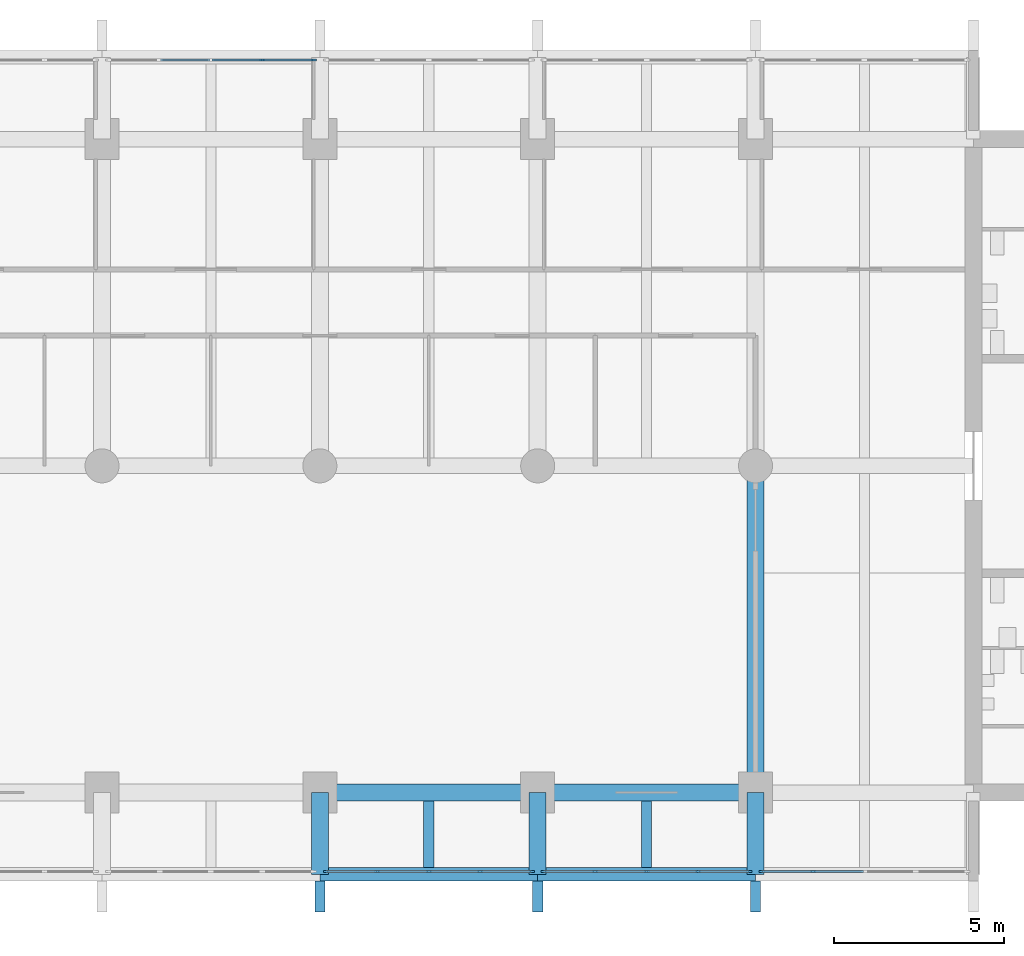
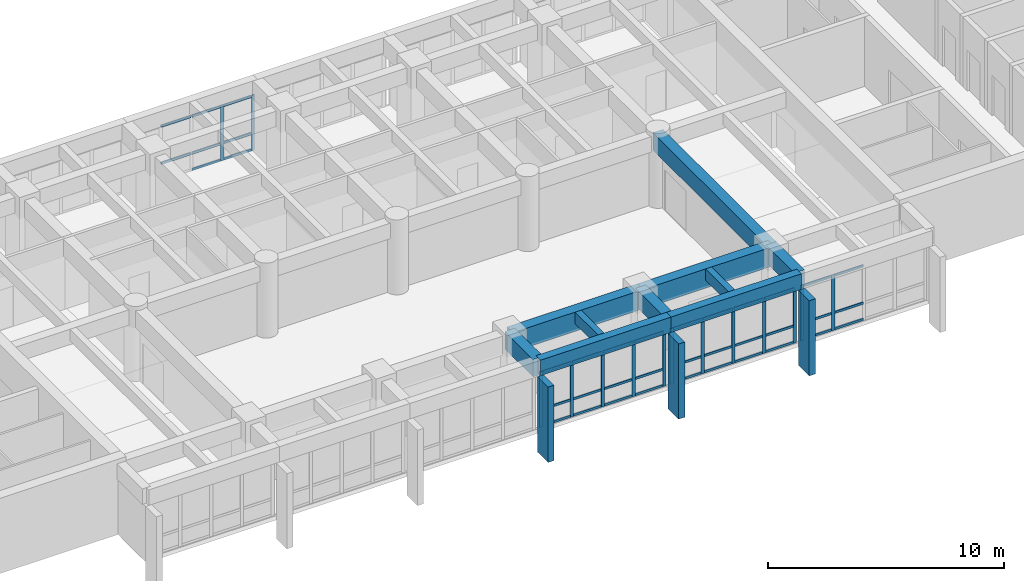
# One storey, part 4 of 15: 55 members, 10 beams, 4 elements without a shape of their own.
"""IFC4 building model written with IfcOpenShell, lengths in metres."""

from ifc_helpers import new_model, si_unit, direction, frame, origin, origin_2d, place, context, subcontext, project, spatial, rectangle, extrude, material, layer, layer_set, material_profile, profile_set, type_object, element, aggregate, save


model = new_model("IFC4")

# Units and contexts
model_context = context("Model", 3, precision=1e-05, world=origin(), true_north=direction((0.0, 1.0)))
body_context = subcontext(model_context, "Body", "Model", "MODEL_VIEW")
ifc_project = project(units=[si_unit("LENGTHUNIT", "METRE"), si_unit("AREAUNIT", "SQUARE_METRE"), si_unit("VOLUMEUNIT", "CUBIC_METRE"), si_unit("PLANEANGLEUNIT", "RADIAN"), si_unit("MASSUNIT", "GRAM", prefix="KILO")], contexts=[model_context])

# Site, building, storey
site_placement = place(None, origin())
site = spatial("IfcSite", under=ifc_project, at=site_placement, CompositionType="ELEMENT")
building_placement = place(site_placement, origin())
building = spatial("IfcBuilding", under=site, at=building_placement, Name="Fogon Plaza Fire Station and Headquarters Tower", CompositionType="ELEMENT")
storey_placement = place(building_placement, frame((0.0, 0.0, 32.699951171875)))
storey = spatial("IfcBuildingStorey", under=building, at=storey_placement, Name="L08", CompositionType="ELEMENT", Elevation=32.699951171875)

# Beams
ifc_material_1 = material(Name="Concrete C40", Category="concrete")
ifc_material_profile_1 = material_profile(ifc_material_1, rectangle(XDim=0.5, YDim=1.0, at=origin_2d()), Name="RC 500x1000")
ifc_profile_set_1 = profile_set([ifc_material_profile_1], Name="Concrete C40")
beam_type_1 = type_object("IfcBeamType", Name="ATRIUM EDGE GIRDER RC 500x1000", PredefinedType="BEAM", material=ifc_profile_set_1)
beam_1_placement = place(storey_placement, frame((44.800048828125, 33.60009765625, 3.179931640625), z_axis=(1.0, 0.0, 0.0), x_axis=(0.0, 1.0, 0.0)))
element("IfcBeam", 1, at=beam_1_placement, inside=storey, type_object=beam_type_1, Name="beam-L08-024", PredefinedType="BEAM", context=body_context, shape_type="SweptSolid", body=[
    extrude(rectangle(XDim=0.5, YDim=1.0, at=origin_2d()), origin(), (0.0, 0.0, 1.0), 6.39990234375),
])
beam_2_placement = place(storey_placement, frame((51.199951171875, 33.60009765625, 3.179931640625), z_axis=(1.0, 0.0, 0.0), x_axis=(0.0, 1.0, 0.0)))
element("IfcBeam", 2, at=beam_2_placement, inside=storey, type_object=beam_type_1, Name="beam-L08-025", PredefinedType="BEAM", context=body_context, shape_type="SweptSolid", body=[
    extrude(rectangle(XDim=0.5, YDim=1.0, at=origin_2d()), origin(), (0.0, 0.0, 1.0), 6.400146484375),
])
ifc_material_2 = material(Name="Concrete C40", Category="concrete")
ifc_material_profile_2 = material_profile(ifc_material_2, rectangle(XDim=0.39990234375, YDim=0.800048828125, at=origin_2d()), Name="RC 400x800")
ifc_profile_set_2 = profile_set([ifc_material_profile_2], Name="Concrete C40")
beam_type_2 = type_object("IfcBeamType", Name="BEAM RC 400x800", PredefinedType="BEAM", material=ifc_profile_set_2)
beam_3_placement = place(storey_placement, frame((44.800048828125, 31.199951171875, 3.280029296875), z_axis=(1.0, 0.0, 0.0), x_axis=(0.0, 1.0, 0.0)))
element("IfcBeam", 3, at=beam_3_placement, inside=storey, type_object=beam_type_2, Name="beam-L08-042", PredefinedType="BEAM", context=body_context, shape_type="SweptSolid", body=[
    extrude(rectangle(XDim=0.39990234375, YDim=0.800048828125, at=origin_2d()), origin(), (0.0, 0.0, 1.0), 6.39990234375),
])
beam_4_placement = place(storey_placement, frame((51.199951171875, 31.199951171875, 3.280029296875), z_axis=(1.0, 0.0, 0.0), x_axis=(0.0, 1.0, 0.0)))
element("IfcBeam", 4, at=beam_4_placement, inside=storey, type_object=beam_type_2, Name="beam-L08-043", PredefinedType="BEAM", context=body_context, shape_type="SweptSolid", body=[
    extrude(rectangle(XDim=0.39990234375, YDim=0.800048828125, at=origin_2d()), origin(), (0.0, 0.0, 1.0), 6.400146484375),
])
ifc_material_3 = material(Name="Concrete C40", Category="concrete")
ifc_material_profile_3 = material_profile(ifc_material_3, rectangle(XDim=0.5, YDim=0.89990234375, at=origin_2d()), Name="RC 500x900")
ifc_profile_set_3 = profile_set([ifc_material_profile_3], Name="Concrete C40")
beam_type_3 = type_object("IfcBeamType", Name="BEAM RC 500x900 SPAN 0.0 TO 3.0 M", PredefinedType="BEAM", material=ifc_profile_set_3)
for number, where, z_axis, x_axis, name in (
    (5, (44.800048828125, 31.199951171875, 3.22998046875), (0.0, 1.0, 0.0), (-1.0, 0.0, 0.0), "beam-L08-009"),
    (6, (51.199951171875, 31.199951171875, 3.22998046875), (0.0, 1.0, 0.0), (-1.0, 0.0, 0.0), "beam-L08-013"),
    (7, (57.60009765625, 31.199951171875, 3.22998046875), (0.0, 1.0, 0.0), (-1.0, 0.0, 0.0), "beam-L08-017"),
):
    element("IfcBeam", number, at=place(storey_placement, frame(where, z_axis=z_axis, x_axis=x_axis)), inside=storey, type_object=beam_type_3, Name=name, PredefinedType="BEAM", context=body_context, shape_type="SweptSolid", body=[
        extrude(rectangle(XDim=0.5, YDim=0.89990234375, at=origin_2d()), origin(), (0.0, 0.0, 1.0), 2.400146484375),
    ])
ifc_material_4 = material(Name="Concrete C40", Category="concrete")
ifc_material_profile_4 = material_profile(ifc_material_4, rectangle(XDim=0.5, YDim=0.89990234375, at=origin_2d()), Name="RC 500x900")
ifc_profile_set_4 = profile_set([ifc_material_profile_4], Name="Concrete C40")
beam_type_4 = type_object("IfcBeamType", Name="BEAM RC 500x900 SPAN 7.7 TO 12.3 M", PredefinedType="BEAM", material=ifc_profile_set_4)
beam_5_placement = place(storey_placement, frame((57.60009765625, 33.60009765625, 3.22998046875), z_axis=(0.0, 1.0, 0.0), x_axis=(-1.0, 0.0, 0.0)))
element("IfcBeam", 8, at=beam_5_placement, inside=storey, type_object=beam_type_4, Name="beam-L08-018", PredefinedType="BEAM", context=body_context, shape_type="SweptSolid", body=[
    extrude(rectangle(XDim=0.5, YDim=0.89990234375, at=origin_2d()), origin(), (0.0, 0.0, 1.0), 9.599853515625),
])

# Curtain wall, members
ifc_material_5 = material(Name="Aluminium and glass", Category="aluminium")
ifc_layer = layer(ifc_material_5, 0.14990234375)
ifc_layer_set = layer_set([ifc_layer], Name="Aluminium and glass")
curtain_wall_type = type_object("IfcCurtainWallType", Name="Unitised Curtain Wall Run 6100x2880", PredefinedType="NOTDEFINED", material=ifc_layer_set)
curtain_wall_1_placement = place(storey_placement, origin())
curtain_wall_1 = element("IfcCurtainWall", 9, at=curtain_wall_1_placement, inside=storey, type_object=curtain_wall_type, Name="CW-6100x2880 S4 L08", PredefinedType="NOTDEFINED")
ifc_material_6 = material(Name="Aluminium", Category="aluminium")
ifc_material_profile_5 = material_profile(ifc_material_6, rectangle(XDim=0.06005859375, YDim=0.159912109375, at=origin_2d()), Name="Curtain Wall Mullion 60x160")
ifc_profile_set_5 = profile_set([ifc_material_profile_5], Name="Aluminium")
member_type_1 = type_object("IfcMemberType", Name="Curtain Wall Mullion 60x160", PredefinedType="MULLION", material=ifc_profile_set_5)
member_1_placement = place(storey_placement, frame((44.97998046875, 31.280029296875, 0.0), z_axis=(0.0, 0.0, 1.0), x_axis=(0.0, 1.0, 0.0)))
member_1 = element("IfcMember", 10, at=member_1_placement, type_object=member_type_1, Name="CW-6100x2880 mullion 1", PredefinedType="MULLION", context=body_context, shape_type="SweptSolid", body=[
    extrude(rectangle(XDim=0.06005859375, YDim=0.159912109375, at=origin_2d()), origin(), (0.0, 0.0, 1.0), 2.880126953125),
])
member_2_placement = place(storey_placement, frame((46.489990234375, 31.280029296875, 0.0), z_axis=(0.0, 0.0, 1.0), x_axis=(0.0, 1.0, 0.0)))
member_2 = element("IfcMember", 11, at=member_2_placement, type_object=member_type_1, Name="CW-6100x2880 mullion 2", PredefinedType="MULLION", context=body_context, shape_type="SweptSolid", body=[
    extrude(rectangle(XDim=0.06005859375, YDim=0.159912109375, at=origin_2d()), origin(), (0.0, 0.0, 1.0), 2.880126953125),
])
member_3_placement = place(storey_placement, frame((48.0, 31.280029296875, 0.0), z_axis=(0.0, 0.0, 1.0), x_axis=(0.0, 1.0, 0.0)))
member_3 = element("IfcMember", 12, at=member_3_placement, type_object=member_type_1, Name="CW-6100x2880 mullion 3", PredefinedType="MULLION", context=body_context, shape_type="SweptSolid", body=[
    extrude(rectangle(XDim=0.06005859375, YDim=0.159912109375, at=origin_2d()), origin(), (0.0, 0.0, 1.0), 2.880126953125),
])
member_4_placement = place(storey_placement, frame((49.510009765625, 31.280029296875, 0.0), z_axis=(0.0, 0.0, 1.0), x_axis=(0.0, 1.0, 0.0)))
member_4 = element("IfcMember", 13, at=member_4_placement, type_object=member_type_1, Name="CW-6100x2880 mullion 4", PredefinedType="MULLION", context=body_context, shape_type="SweptSolid", body=[
    extrude(rectangle(XDim=0.06005859375, YDim=0.159912109375, at=origin_2d()), origin(), (0.0, 0.0, 1.0), 2.880126953125),
])
member_5_placement = place(storey_placement, frame((51.02001953125, 31.280029296875, 0.0), z_axis=(0.0, 0.0, 1.0), x_axis=(0.0, 1.0, 0.0)))
member_5 = element("IfcMember", 14, at=member_5_placement, type_object=member_type_1, Name="CW-6100x2880 mullion 5", PredefinedType="MULLION", context=body_context, shape_type="SweptSolid", body=[
    extrude(rectangle(XDim=0.06005859375, YDim=0.159912109375, at=origin_2d()), origin(), (0.0, 0.0, 1.0), 2.880126953125),
])

curtain_wall_2_placement = place(storey_placement, origin())
curtain_wall_2 = element("IfcCurtainWall", 15, at=curtain_wall_2_placement, inside=storey, type_object=curtain_wall_type, Name="CW-6100x2880 S5 L08", PredefinedType="NOTDEFINED")
member_6_placement = place(storey_placement, frame((51.3798828125, 31.280029296875, 0.0), z_axis=(0.0, 0.0, 1.0), x_axis=(0.0, 1.0, 0.0)))
member_6 = element("IfcMember", 16, at=member_6_placement, type_object=member_type_1, Name="CW-6100x2880 mullion 1", PredefinedType="MULLION", context=body_context, shape_type="SweptSolid", body=[
    extrude(rectangle(XDim=0.06005859375, YDim=0.159912109375, at=origin_2d()), origin(), (0.0, 0.0, 1.0), 2.880126953125),
])
member_7_placement = place(storey_placement, frame((52.889892578125, 31.280029296875, 0.0), z_axis=(0.0, 0.0, 1.0), x_axis=(0.0, 1.0, 0.0)))
member_7 = element("IfcMember", 17, at=member_7_placement, type_object=member_type_1, Name="CW-6100x2880 mullion 2", PredefinedType="MULLION", context=body_context, shape_type="SweptSolid", body=[
    extrude(rectangle(XDim=0.06005859375, YDim=0.159912109375, at=origin_2d()), origin(), (0.0, 0.0, 1.0), 2.880126953125),
])
member_8_placement = place(storey_placement, frame((54.39990234375, 31.280029296875, 0.0), z_axis=(0.0, 0.0, 1.0), x_axis=(0.0, 1.0, 0.0)))
member_8 = element("IfcMember", 18, at=member_8_placement, type_object=member_type_1, Name="CW-6100x2880 mullion 3", PredefinedType="MULLION", context=body_context, shape_type="SweptSolid", body=[
    extrude(rectangle(XDim=0.06005859375, YDim=0.159912109375, at=origin_2d()), origin(), (0.0, 0.0, 1.0), 2.880126953125),
])
member_9_placement = place(storey_placement, frame((55.909912109375, 31.280029296875, 0.0), z_axis=(0.0, 0.0, 1.0), x_axis=(0.0, 1.0, 0.0)))
member_9 = element("IfcMember", 19, at=member_9_placement, type_object=member_type_1, Name="CW-6100x2880 mullion 4", PredefinedType="MULLION", context=body_context, shape_type="SweptSolid", body=[
    extrude(rectangle(XDim=0.06005859375, YDim=0.159912109375, at=origin_2d()), origin(), (0.0, 0.0, 1.0), 2.880126953125),
])
member_10_placement = place(storey_placement, frame((57.419921875, 31.280029296875, 0.0), z_axis=(0.0, 0.0, 1.0), x_axis=(0.0, 1.0, 0.0)))
member_10 = element("IfcMember", 20, at=member_10_placement, type_object=member_type_1, Name="CW-6100x2880 mullion 5", PredefinedType="MULLION", context=body_context, shape_type="SweptSolid", body=[
    extrude(rectangle(XDim=0.06005859375, YDim=0.159912109375, at=origin_2d()), origin(), (0.0, 0.0, 1.0), 2.880126953125),
])

curtain_wall_3_placement = place(storey_placement, origin())
curtain_wall_3 = element("IfcCurtainWall", 21, at=curtain_wall_3_placement, inside=storey, type_object=curtain_wall_type, Name="CW-6100x2880 S6 L08", PredefinedType="NOTDEFINED")
member_11_placement = place(storey_placement, frame((57.780029296875, 31.280029296875, 0.0), z_axis=(0.0, 0.0, 1.0), x_axis=(0.0, 1.0, 0.0)))
member_11 = element("IfcMember", 22, at=member_11_placement, type_object=member_type_1, Name="CW-6100x2880 mullion 1", PredefinedType="MULLION", context=body_context, shape_type="SweptSolid", body=[
    extrude(rectangle(XDim=0.06005859375, YDim=0.159912109375, at=origin_2d()), origin(), (0.0, 0.0, 1.0), 2.880126953125),
])
member_12_placement = place(storey_placement, frame((59.2900390625, 31.280029296875, 0.0), z_axis=(0.0, 0.0, 1.0), x_axis=(0.0, 1.0, 0.0)))
member_12 = element("IfcMember", 23, at=member_12_placement, type_object=member_type_1, Name="CW-6100x2880 mullion 2", PredefinedType="MULLION", context=body_context, shape_type="SweptSolid", body=[
    extrude(rectangle(XDim=0.06005859375, YDim=0.159912109375, at=origin_2d()), origin(), (0.0, 0.0, 1.0), 2.880126953125),
])

curtain_wall_4_placement = place(storey_placement, origin())
curtain_wall_4 = element("IfcCurtainWall", 24, at=curtain_wall_4_placement, inside=storey, type_object=curtain_wall_type, Name="CW-6100x2880 N3 L08", PredefinedType="NOTDEFINED")
member_13_placement = place(storey_placement, frame((43.110107421875, 55.1201171875, 0.0), z_axis=(0.0, 0.0, 1.0), x_axis=(0.0, 1.0, 0.0)))
member_13 = element("IfcMember", 25, at=member_13_placement, type_object=member_type_1, Name="CW-6100x2880 mullion 4", PredefinedType="MULLION", context=body_context, shape_type="SweptSolid", body=[
    extrude(rectangle(XDim=0.06005859375, YDim=0.159912109375, at=origin_2d()), origin(), (0.0, 0.0, 1.0), 2.880126953125),
])
member_14_placement = place(storey_placement, frame((44.6201171875, 55.1201171875, 0.0), z_axis=(0.0, 0.0, 1.0), x_axis=(0.0, 1.0, 0.0)))
member_14 = element("IfcMember", 26, at=member_14_placement, type_object=member_type_1, Name="CW-6100x2880 mullion 5", PredefinedType="MULLION", context=body_context, shape_type="SweptSolid", body=[
    extrude(rectangle(XDim=0.06005859375, YDim=0.159912109375, at=origin_2d()), origin(), (0.0, 0.0, 1.0), 2.880126953125),
])

# Member
ifc_material_7 = material(Name="Aluminium", Category="aluminium")
ifc_material_profile_6 = material_profile(ifc_material_7, rectangle(XDim=0.06005859375, YDim=0.1201171875, at=origin_2d()), Name="Curtain Wall Transom 60x120")
ifc_profile_set_6 = profile_set([ifc_material_profile_6], Name="Aluminium")
member_type_2 = type_object("IfcMemberType", Name="Curtain Wall Transom 60x120", PredefinedType="USERDEFINED", material=ifc_profile_set_6)
member_15_placement = place(storey_placement, frame((45.010009765625, 31.280029296875, 0.06005859375), z_axis=(1.0, 0.0, 0.0), x_axis=(0.0, 1.0, 0.0)))
member_15 = element("IfcMember", 27, at=member_15_placement, type_object=member_type_2, Name="CW-6100x2880 transom 1.1", ObjectType="TRANSOM", PredefinedType="USERDEFINED", context=body_context, shape_type="SweptSolid", body=[
    extrude(rectangle(XDim=0.06005859375, YDim=0.1201171875, at=origin_2d()), origin(), (0.0, 0.0, 1.0), 1.449951171875),
])

member_16_placement = place(storey_placement, frame((45.010009765625, 31.280029296875, 0.900146484375), z_axis=(1.0, 0.0, 0.0), x_axis=(0.0, 1.0, 0.0)))
member_16 = element("IfcMember", 28, at=member_16_placement, type_object=member_type_2, Name="CW-6100x2880 transom 1.2", ObjectType="TRANSOM", PredefinedType="USERDEFINED", context=body_context, shape_type="SweptSolid", body=[
    extrude(rectangle(XDim=0.06005859375, YDim=0.1201171875, at=origin_2d()), origin(), (0.0, 0.0, 1.0), 1.449951171875),
])

member_17_placement = place(storey_placement, frame((45.010009765625, 31.280029296875, 2.820068359375), z_axis=(1.0, 0.0, 0.0), x_axis=(0.0, 1.0, 0.0)))
member_17 = element("IfcMember", 29, at=member_17_placement, type_object=member_type_2, Name="CW-6100x2880 transom 1.3", ObjectType="TRANSOM", PredefinedType="USERDEFINED", context=body_context, shape_type="SweptSolid", body=[
    extrude(rectangle(XDim=0.06005859375, YDim=0.1201171875, at=origin_2d()), origin(), (0.0, 0.0, 1.0), 1.449951171875),
])

member_18_placement = place(storey_placement, frame((46.52001953125, 31.280029296875, 0.06005859375), z_axis=(1.0, 0.0, 0.0), x_axis=(0.0, 1.0, 0.0)))
member_18 = element("IfcMember", 30, at=member_18_placement, type_object=member_type_2, Name="CW-6100x2880 transom 2.1", ObjectType="TRANSOM", PredefinedType="USERDEFINED", context=body_context, shape_type="SweptSolid", body=[
    extrude(rectangle(XDim=0.06005859375, YDim=0.1201171875, at=origin_2d()), origin(), (0.0, 0.0, 1.0), 1.449951171875),
])

member_19_placement = place(storey_placement, frame((46.52001953125, 31.280029296875, 0.900146484375), z_axis=(1.0, 0.0, 0.0), x_axis=(0.0, 1.0, 0.0)))
member_19 = element("IfcMember", 31, at=member_19_placement, type_object=member_type_2, Name="CW-6100x2880 transom 2.2", ObjectType="TRANSOM", PredefinedType="USERDEFINED", context=body_context, shape_type="SweptSolid", body=[
    extrude(rectangle(XDim=0.06005859375, YDim=0.1201171875, at=origin_2d()), origin(), (0.0, 0.0, 1.0), 1.449951171875),
])

member_20_placement = place(storey_placement, frame((46.52001953125, 31.280029296875, 2.820068359375), z_axis=(1.0, 0.0, 0.0), x_axis=(0.0, 1.0, 0.0)))
member_20 = element("IfcMember", 32, at=member_20_placement, type_object=member_type_2, Name="CW-6100x2880 transom 2.3", ObjectType="TRANSOM", PredefinedType="USERDEFINED", context=body_context, shape_type="SweptSolid", body=[
    extrude(rectangle(XDim=0.06005859375, YDim=0.1201171875, at=origin_2d()), origin(), (0.0, 0.0, 1.0), 1.449951171875),
])

member_21_placement = place(storey_placement, frame((48.030029296875, 31.280029296875, 0.06005859375), z_axis=(1.0, 0.0, 0.0), x_axis=(0.0, 1.0, 0.0)))
member_21 = element("IfcMember", 33, at=member_21_placement, type_object=member_type_2, Name="CW-6100x2880 transom 3.1", ObjectType="TRANSOM", PredefinedType="USERDEFINED", context=body_context, shape_type="SweptSolid", body=[
    extrude(rectangle(XDim=0.06005859375, YDim=0.1201171875, at=origin_2d()), origin(), (0.0, 0.0, 1.0), 1.449951171875),
])

member_22_placement = place(storey_placement, frame((48.030029296875, 31.280029296875, 0.900146484375), z_axis=(1.0, 0.0, 0.0), x_axis=(0.0, 1.0, 0.0)))
member_22 = element("IfcMember", 34, at=member_22_placement, type_object=member_type_2, Name="CW-6100x2880 transom 3.2", ObjectType="TRANSOM", PredefinedType="USERDEFINED", context=body_context, shape_type="SweptSolid", body=[
    extrude(rectangle(XDim=0.06005859375, YDim=0.1201171875, at=origin_2d()), origin(), (0.0, 0.0, 1.0), 1.449951171875),
])

member_23_placement = place(storey_placement, frame((48.030029296875, 31.280029296875, 2.820068359375), z_axis=(1.0, 0.0, 0.0), x_axis=(0.0, 1.0, 0.0)))
member_23 = element("IfcMember", 35, at=member_23_placement, type_object=member_type_2, Name="CW-6100x2880 transom 3.3", ObjectType="TRANSOM", PredefinedType="USERDEFINED", context=body_context, shape_type="SweptSolid", body=[
    extrude(rectangle(XDim=0.06005859375, YDim=0.1201171875, at=origin_2d()), origin(), (0.0, 0.0, 1.0), 1.449951171875),
])

member_24_placement = place(storey_placement, frame((49.5400390625, 31.280029296875, 0.06005859375), z_axis=(1.0, 0.0, 0.0), x_axis=(0.0, 1.0, 0.0)))
member_24 = element("IfcMember", 36, at=member_24_placement, type_object=member_type_2, Name="CW-6100x2880 transom 4.1", ObjectType="TRANSOM", PredefinedType="USERDEFINED", context=body_context, shape_type="SweptSolid", body=[
    extrude(rectangle(XDim=0.06005859375, YDim=0.1201171875, at=origin_2d()), origin(), (0.0, 0.0, 1.0), 1.449951171875),
])

member_25_placement = place(storey_placement, frame((49.5400390625, 31.280029296875, 0.900146484375), z_axis=(1.0, 0.0, 0.0), x_axis=(0.0, 1.0, 0.0)))
member_25 = element("IfcMember", 37, at=member_25_placement, type_object=member_type_2, Name="CW-6100x2880 transom 4.2", ObjectType="TRANSOM", PredefinedType="USERDEFINED", context=body_context, shape_type="SweptSolid", body=[
    extrude(rectangle(XDim=0.06005859375, YDim=0.1201171875, at=origin_2d()), origin(), (0.0, 0.0, 1.0), 1.449951171875),
])

member_26_placement = place(storey_placement, frame((49.5400390625, 31.280029296875, 2.820068359375), z_axis=(1.0, 0.0, 0.0), x_axis=(0.0, 1.0, 0.0)))
member_26 = element("IfcMember", 38, at=member_26_placement, type_object=member_type_2, Name="CW-6100x2880 transom 4.3", ObjectType="TRANSOM", PredefinedType="USERDEFINED", context=body_context, shape_type="SweptSolid", body=[
    extrude(rectangle(XDim=0.06005859375, YDim=0.1201171875, at=origin_2d()), origin(), (0.0, 0.0, 1.0), 1.449951171875),
])

aggregate(curtain_wall_1, [member_1, member_2, member_3, member_4, member_5, member_15, member_16, member_17, member_18, member_19, member_20, member_21, member_22, member_23, member_24, member_25, member_26])

member_27_placement = place(storey_placement, frame((51.409912109375, 31.280029296875, 0.06005859375), z_axis=(1.0, 0.0, 0.0), x_axis=(0.0, 1.0, 0.0)))
member_27 = element("IfcMember", 39, at=member_27_placement, type_object=member_type_2, Name="CW-6100x2880 transom 1.1", ObjectType="TRANSOM", PredefinedType="USERDEFINED", context=body_context, shape_type="SweptSolid", body=[
    extrude(rectangle(XDim=0.06005859375, YDim=0.1201171875, at=origin_2d()), origin(), (0.0, 0.0, 1.0), 1.4501953125),
])

member_28_placement = place(storey_placement, frame((51.409912109375, 31.280029296875, 0.900146484375), z_axis=(1.0, 0.0, 0.0), x_axis=(0.0, 1.0, 0.0)))
member_28 = element("IfcMember", 40, at=member_28_placement, type_object=member_type_2, Name="CW-6100x2880 transom 1.2", ObjectType="TRANSOM", PredefinedType="USERDEFINED", context=body_context, shape_type="SweptSolid", body=[
    extrude(rectangle(XDim=0.06005859375, YDim=0.1201171875, at=origin_2d()), origin(), (0.0, 0.0, 1.0), 1.4501953125),
])

member_29_placement = place(storey_placement, frame((51.409912109375, 31.280029296875, 2.820068359375), z_axis=(1.0, 0.0, 0.0), x_axis=(0.0, 1.0, 0.0)))
member_29 = element("IfcMember", 41, at=member_29_placement, type_object=member_type_2, Name="CW-6100x2880 transom 1.3", ObjectType="TRANSOM", PredefinedType="USERDEFINED", context=body_context, shape_type="SweptSolid", body=[
    extrude(rectangle(XDim=0.06005859375, YDim=0.1201171875, at=origin_2d()), origin(), (0.0, 0.0, 1.0), 1.4501953125),
])

member_30_placement = place(storey_placement, frame((52.919921875, 31.280029296875, 0.06005859375), z_axis=(1.0, 0.0, 0.0), x_axis=(0.0, 1.0, 0.0)))
member_30 = element("IfcMember", 42, at=member_30_placement, type_object=member_type_2, Name="CW-6100x2880 transom 2.1", ObjectType="TRANSOM", PredefinedType="USERDEFINED", context=body_context, shape_type="SweptSolid", body=[
    extrude(rectangle(XDim=0.06005859375, YDim=0.1201171875, at=origin_2d()), origin(), (0.0, 0.0, 1.0), 1.4501953125),
])

member_31_placement = place(storey_placement, frame((52.919921875, 31.280029296875, 0.900146484375), z_axis=(1.0, 0.0, 0.0), x_axis=(0.0, 1.0, 0.0)))
member_31 = element("IfcMember", 43, at=member_31_placement, type_object=member_type_2, Name="CW-6100x2880 transom 2.2", ObjectType="TRANSOM", PredefinedType="USERDEFINED", context=body_context, shape_type="SweptSolid", body=[
    extrude(rectangle(XDim=0.06005859375, YDim=0.1201171875, at=origin_2d()), origin(), (0.0, 0.0, 1.0), 1.4501953125),
])

member_32_placement = place(storey_placement, frame((52.919921875, 31.280029296875, 2.820068359375), z_axis=(1.0, 0.0, 0.0), x_axis=(0.0, 1.0, 0.0)))
member_32 = element("IfcMember", 44, at=member_32_placement, type_object=member_type_2, Name="CW-6100x2880 transom 2.3", ObjectType="TRANSOM", PredefinedType="USERDEFINED", context=body_context, shape_type="SweptSolid", body=[
    extrude(rectangle(XDim=0.06005859375, YDim=0.1201171875, at=origin_2d()), origin(), (0.0, 0.0, 1.0), 1.4501953125),
])

member_33_placement = place(storey_placement, frame((54.429931640625, 31.280029296875, 0.06005859375), z_axis=(1.0, 0.0, 0.0), x_axis=(0.0, 1.0, 0.0)))
member_33 = element("IfcMember", 45, at=member_33_placement, type_object=member_type_2, Name="CW-6100x2880 transom 3.1", ObjectType="TRANSOM", PredefinedType="USERDEFINED", context=body_context, shape_type="SweptSolid", body=[
    extrude(rectangle(XDim=0.06005859375, YDim=0.1201171875, at=origin_2d()), origin(), (0.0, 0.0, 1.0), 1.449951171875),
])

member_34_placement = place(storey_placement, frame((54.429931640625, 31.280029296875, 0.900146484375), z_axis=(1.0, 0.0, 0.0), x_axis=(0.0, 1.0, 0.0)))
member_34 = element("IfcMember", 46, at=member_34_placement, type_object=member_type_2, Name="CW-6100x2880 transom 3.2", ObjectType="TRANSOM", PredefinedType="USERDEFINED", context=body_context, shape_type="SweptSolid", body=[
    extrude(rectangle(XDim=0.06005859375, YDim=0.1201171875, at=origin_2d()), origin(), (0.0, 0.0, 1.0), 1.449951171875),
])

member_35_placement = place(storey_placement, frame((54.429931640625, 31.280029296875, 2.820068359375), z_axis=(1.0, 0.0, 0.0), x_axis=(0.0, 1.0, 0.0)))
member_35 = element("IfcMember", 47, at=member_35_placement, type_object=member_type_2, Name="CW-6100x2880 transom 3.3", ObjectType="TRANSOM", PredefinedType="USERDEFINED", context=body_context, shape_type="SweptSolid", body=[
    extrude(rectangle(XDim=0.06005859375, YDim=0.1201171875, at=origin_2d()), origin(), (0.0, 0.0, 1.0), 1.449951171875),
])

member_36_placement = place(storey_placement, frame((55.93994140625, 31.280029296875, 0.06005859375), z_axis=(1.0, 0.0, 0.0), x_axis=(0.0, 1.0, 0.0)))
member_36 = element("IfcMember", 48, at=member_36_placement, type_object=member_type_2, Name="CW-6100x2880 transom 4.1", ObjectType="TRANSOM", PredefinedType="USERDEFINED", context=body_context, shape_type="SweptSolid", body=[
    extrude(rectangle(XDim=0.06005859375, YDim=0.1201171875, at=origin_2d()), origin(), (0.0, 0.0, 1.0), 1.449951171875),
])

member_37_placement = place(storey_placement, frame((55.93994140625, 31.280029296875, 0.900146484375), z_axis=(1.0, 0.0, 0.0), x_axis=(0.0, 1.0, 0.0)))
member_37 = element("IfcMember", 49, at=member_37_placement, type_object=member_type_2, Name="CW-6100x2880 transom 4.2", ObjectType="TRANSOM", PredefinedType="USERDEFINED", context=body_context, shape_type="SweptSolid", body=[
    extrude(rectangle(XDim=0.06005859375, YDim=0.1201171875, at=origin_2d()), origin(), (0.0, 0.0, 1.0), 1.449951171875),
])

member_38_placement = place(storey_placement, frame((55.93994140625, 31.280029296875, 2.820068359375), z_axis=(1.0, 0.0, 0.0), x_axis=(0.0, 1.0, 0.0)))
member_38 = element("IfcMember", 50, at=member_38_placement, type_object=member_type_2, Name="CW-6100x2880 transom 4.3", ObjectType="TRANSOM", PredefinedType="USERDEFINED", context=body_context, shape_type="SweptSolid", body=[
    extrude(rectangle(XDim=0.06005859375, YDim=0.1201171875, at=origin_2d()), origin(), (0.0, 0.0, 1.0), 1.449951171875),
])

aggregate(curtain_wall_2, [member_6, member_7, member_8, member_9, member_10, member_27, member_28, member_29, member_30, member_31, member_32, member_33, member_34, member_35, member_36, member_37, member_38])

member_39_placement = place(storey_placement, frame((57.81005859375, 31.280029296875, 0.06005859375), z_axis=(1.0, 0.0, 0.0), x_axis=(0.0, 1.0, 0.0)))
member_39 = element("IfcMember", 51, at=member_39_placement, type_object=member_type_2, Name="CW-6100x2880 transom 1.1", ObjectType="TRANSOM", PredefinedType="USERDEFINED", context=body_context, shape_type="SweptSolid", body=[
    extrude(rectangle(XDim=0.06005859375, YDim=0.1201171875, at=origin_2d()), origin(), (0.0, 0.0, 1.0), 1.449951171875),
])

member_40_placement = place(storey_placement, frame((57.81005859375, 31.280029296875, 0.900146484375), z_axis=(1.0, 0.0, 0.0), x_axis=(0.0, 1.0, 0.0)))
member_40 = element("IfcMember", 52, at=member_40_placement, type_object=member_type_2, Name="CW-6100x2880 transom 1.2", ObjectType="TRANSOM", PredefinedType="USERDEFINED", context=body_context, shape_type="SweptSolid", body=[
    extrude(rectangle(XDim=0.06005859375, YDim=0.1201171875, at=origin_2d()), origin(), (0.0, 0.0, 1.0), 1.449951171875),
])

member_41_placement = place(storey_placement, frame((57.81005859375, 31.280029296875, 2.820068359375), z_axis=(1.0, 0.0, 0.0), x_axis=(0.0, 1.0, 0.0)))
member_41 = element("IfcMember", 53, at=member_41_placement, type_object=member_type_2, Name="CW-6100x2880 transom 1.3", ObjectType="TRANSOM", PredefinedType="USERDEFINED", context=body_context, shape_type="SweptSolid", body=[
    extrude(rectangle(XDim=0.06005859375, YDim=0.1201171875, at=origin_2d()), origin(), (0.0, 0.0, 1.0), 1.449951171875),
])

member_42_placement = place(storey_placement, frame((59.320068359375, 31.280029296875, 0.06005859375), z_axis=(1.0, 0.0, 0.0), x_axis=(0.0, 1.0, 0.0)))
member_42 = element("IfcMember", 54, at=member_42_placement, type_object=member_type_2, Name="CW-6100x2880 transom 2.1", ObjectType="TRANSOM", PredefinedType="USERDEFINED", context=body_context, shape_type="SweptSolid", body=[
    extrude(rectangle(XDim=0.06005859375, YDim=0.1201171875, at=origin_2d()), origin(), (0.0, 0.0, 1.0), 1.449951171875),
])

member_43_placement = place(storey_placement, frame((59.320068359375, 31.280029296875, 0.900146484375), z_axis=(1.0, 0.0, 0.0), x_axis=(0.0, 1.0, 0.0)))
member_43 = element("IfcMember", 55, at=member_43_placement, type_object=member_type_2, Name="CW-6100x2880 transom 2.2", ObjectType="TRANSOM", PredefinedType="USERDEFINED", context=body_context, shape_type="SweptSolid", body=[
    extrude(rectangle(XDim=0.06005859375, YDim=0.1201171875, at=origin_2d()), origin(), (0.0, 0.0, 1.0), 1.449951171875),
])

member_44_placement = place(storey_placement, frame((59.320068359375, 31.280029296875, 2.820068359375), z_axis=(1.0, 0.0, 0.0), x_axis=(0.0, 1.0, 0.0)))
member_44 = element("IfcMember", 56, at=member_44_placement, type_object=member_type_2, Name="CW-6100x2880 transom 2.3", ObjectType="TRANSOM", PredefinedType="USERDEFINED", context=body_context, shape_type="SweptSolid", body=[
    extrude(rectangle(XDim=0.06005859375, YDim=0.1201171875, at=origin_2d()), origin(), (0.0, 0.0, 1.0), 1.449951171875),
])

aggregate(curtain_wall_3, [member_11, member_12, member_39, member_40, member_41, member_42, member_43, member_44])

member_45_placement = place(storey_placement, frame((40.1201171875, 55.1201171875, 0.900146484375), z_axis=(1.0, 0.0, 0.0), x_axis=(0.0, 1.0, 0.0)))
member_45 = element("IfcMember", 57, at=member_45_placement, type_object=member_type_2, Name="CW-6100x2880 transom 2.2", ObjectType="TRANSOM", PredefinedType="USERDEFINED", context=body_context, shape_type="SweptSolid", body=[
    extrude(rectangle(XDim=0.06005859375, YDim=0.1201171875, at=origin_2d()), origin(), (0.0, 0.0, 1.0), 1.449951171875),
])

member_46_placement = place(storey_placement, frame((40.1201171875, 55.1201171875, 2.820068359375), z_axis=(1.0, 0.0, 0.0), x_axis=(0.0, 1.0, 0.0)))
member_46 = element("IfcMember", 58, at=member_46_placement, type_object=member_type_2, Name="CW-6100x2880 transom 2.3", ObjectType="TRANSOM", PredefinedType="USERDEFINED", context=body_context, shape_type="SweptSolid", body=[
    extrude(rectangle(XDim=0.06005859375, YDim=0.1201171875, at=origin_2d()), origin(), (0.0, 0.0, 1.0), 1.449951171875),
])

member_47_placement = place(storey_placement, frame((41.6298828125, 55.1201171875, 0.06005859375), z_axis=(1.0, 0.0, 0.0), x_axis=(0.0, 1.0, 0.0)))
member_47 = element("IfcMember", 59, at=member_47_placement, type_object=member_type_2, Name="CW-6100x2880 transom 3.1", ObjectType="TRANSOM", PredefinedType="USERDEFINED", context=body_context, shape_type="SweptSolid", body=[
    extrude(rectangle(XDim=0.06005859375, YDim=0.1201171875, at=origin_2d()), origin(), (0.0, 0.0, 1.0), 1.4501953125),
])

member_48_placement = place(storey_placement, frame((41.6298828125, 55.1201171875, 0.900146484375), z_axis=(1.0, 0.0, 0.0), x_axis=(0.0, 1.0, 0.0)))
member_48 = element("IfcMember", 60, at=member_48_placement, type_object=member_type_2, Name="CW-6100x2880 transom 3.2", ObjectType="TRANSOM", PredefinedType="USERDEFINED", context=body_context, shape_type="SweptSolid", body=[
    extrude(rectangle(XDim=0.06005859375, YDim=0.1201171875, at=origin_2d()), origin(), (0.0, 0.0, 1.0), 1.4501953125),
])

member_49_placement = place(storey_placement, frame((41.6298828125, 55.1201171875, 2.820068359375), z_axis=(1.0, 0.0, 0.0), x_axis=(0.0, 1.0, 0.0)))
member_49 = element("IfcMember", 61, at=member_49_placement, type_object=member_type_2, Name="CW-6100x2880 transom 3.3", ObjectType="TRANSOM", PredefinedType="USERDEFINED", context=body_context, shape_type="SweptSolid", body=[
    extrude(rectangle(XDim=0.06005859375, YDim=0.1201171875, at=origin_2d()), origin(), (0.0, 0.0, 1.0), 1.4501953125),
])

member_50_placement = place(storey_placement, frame((43.139892578125, 55.1201171875, 0.06005859375), z_axis=(1.0, 0.0, 0.0), x_axis=(0.0, 1.0, 0.0)))
member_50 = element("IfcMember", 62, at=member_50_placement, type_object=member_type_2, Name="CW-6100x2880 transom 4.1", ObjectType="TRANSOM", PredefinedType="USERDEFINED", context=body_context, shape_type="SweptSolid", body=[
    extrude(rectangle(XDim=0.06005859375, YDim=0.1201171875, at=origin_2d()), origin(), (0.0, 0.0, 1.0), 1.4501953125),
])

member_51_placement = place(storey_placement, frame((43.139892578125, 55.1201171875, 0.900146484375), z_axis=(1.0, 0.0, 0.0), x_axis=(0.0, 1.0, 0.0)))
member_51 = element("IfcMember", 63, at=member_51_placement, type_object=member_type_2, Name="CW-6100x2880 transom 4.2", ObjectType="TRANSOM", PredefinedType="USERDEFINED", context=body_context, shape_type="SweptSolid", body=[
    extrude(rectangle(XDim=0.06005859375, YDim=0.1201171875, at=origin_2d()), origin(), (0.0, 0.0, 1.0), 1.4501953125),
])

member_52_placement = place(storey_placement, frame((43.139892578125, 55.1201171875, 2.820068359375), z_axis=(1.0, 0.0, 0.0), x_axis=(0.0, 1.0, 0.0)))
member_52 = element("IfcMember", 64, at=member_52_placement, type_object=member_type_2, Name="CW-6100x2880 transom 4.3", ObjectType="TRANSOM", PredefinedType="USERDEFINED", context=body_context, shape_type="SweptSolid", body=[
    extrude(rectangle(XDim=0.06005859375, YDim=0.1201171875, at=origin_2d()), origin(), (0.0, 0.0, 1.0), 1.4501953125),
])

aggregate(curtain_wall_4, [member_13, member_14, member_45, member_46, member_47, member_48, member_49, member_50, member_51, member_52])

# Beams
ifc_material_8 = material(Name="Concrete C40", Category="concrete")
ifc_material_profile_7 = material_profile(ifc_material_8, rectangle(XDim=0.300048828125, YDim=0.60009765625, at=origin_2d()), Name="RC 300x600")
ifc_profile_set_7 = profile_set([ifc_material_profile_7], Name="Concrete C40")
beam_type_5 = type_object("IfcBeamType", Name="JOIST RC 300x600 SPAN 0.0 TO 3.0 M", PredefinedType="JOIST", material=ifc_profile_set_7)
for number, where, z_axis, x_axis, name in (
    (65, (48.0, 31.39990234375, 3.380126953125), (0.0, 1.0, 0.0), (-1.0, 0.0, 0.0), "beam-L08-067"),
    (66, (54.39990234375, 31.39990234375, 3.380126953125), (0.0, 1.0, 0.0), (-1.0, 0.0, 0.0), "beam-L08-071"),
):
    element("IfcBeam", number, at=place(storey_placement, frame(where, z_axis=z_axis, x_axis=x_axis)), inside=storey, type_object=beam_type_5, Name=name, PredefinedType="JOIST", context=body_context, shape_type="SweptSolid", body=[
        extrude(rectangle(XDim=0.300048828125, YDim=0.60009765625, at=origin_2d()), origin(), (0.0, 0.0, 1.0), 1.9501953125),
    ])

# Members
ifc_material_9 = material(Name="Concrete C40 precast", Category="concrete")
ifc_material_profile_8 = material_profile(ifc_material_9, rectangle(XDim=0.300048828125, YDim=0.89990234375, at=origin_2d()), Name="Precast Concrete Post 300x900")
ifc_profile_set_8 = profile_set([ifc_material_profile_8], Name="Concrete C40 precast")
member_type_3 = type_object("IfcMemberType", Name="Precast Concrete Post 300x900", PredefinedType="POST", material=ifc_profile_set_8)
for number, where, z_axis, x_axis, name in (
    (67, (44.800048828125, 30.550048828125, -1.02001953125), (0.0, 0.0, 1.0), (1.0, 0.0, 0.0), "Precast Post S L08"),
    (68, (51.199951171875, 30.550048828125, -1.02001953125), (0.0, 0.0, 1.0), (1.0, 0.0, 0.0), "Precast Post S L08"),
    (69, (57.60009765625, 30.550048828125, -1.02001953125), (0.0, 0.0, 1.0), (1.0, 0.0, 0.0), "Precast Post S L08"),
):
    element("IfcMember", number, at=place(storey_placement, frame(where, z_axis=z_axis, x_axis=x_axis)), inside=storey, type_object=member_type_3, Name=name, PredefinedType="POST", context=body_context, shape_type="SweptSolid", body=[
        extrude(rectangle(XDim=0.300048828125, YDim=0.89990234375, at=origin_2d()), origin(), (0.0, 0.0, 1.0), 3.900146484375),
    ])

save(model, "model.ifc")
